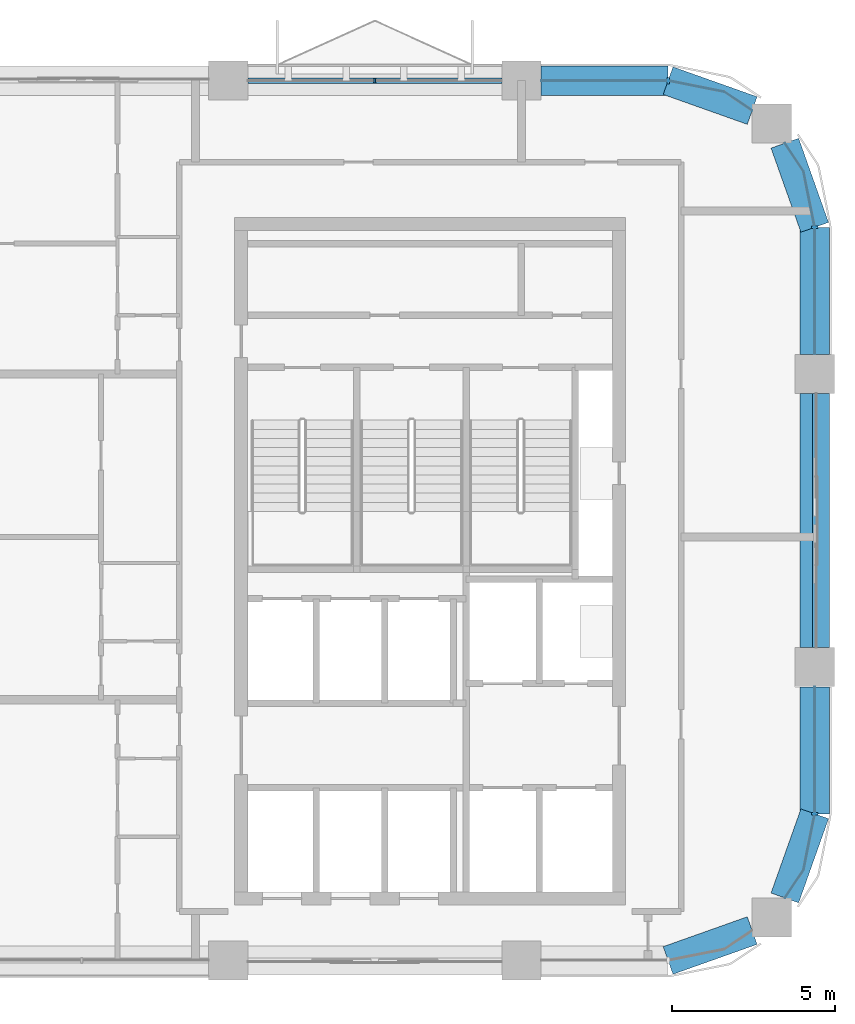
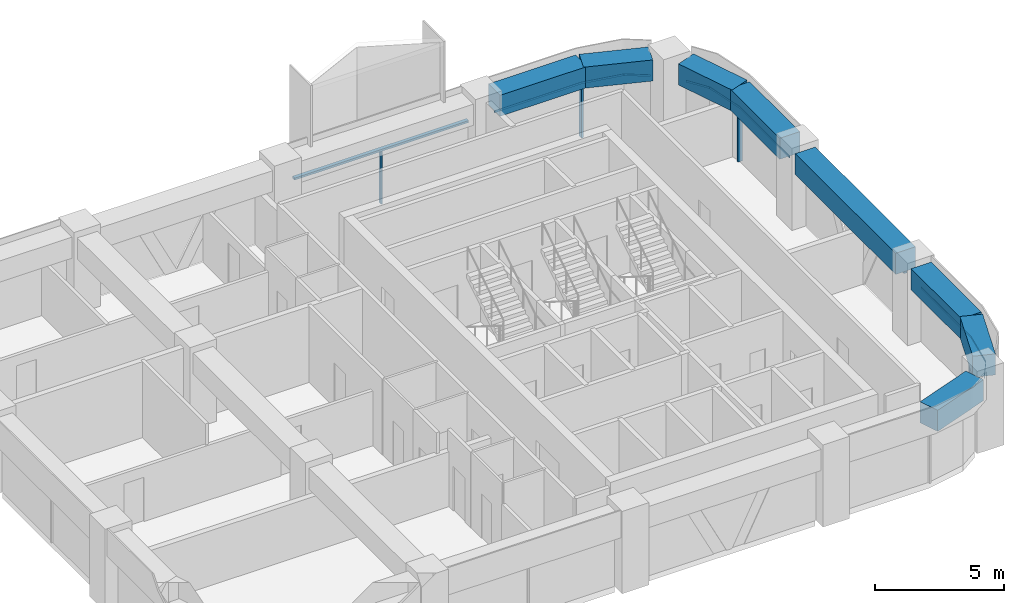
# One storey, part 4 of 10: 9 members, 8 beams, 5 elements without a shape of their own.
"""IFC4 building model written with IfcOpenShell, lengths in metres."""

from ifc_helpers import new_model, si_unit, direction, frame, origin, origin_2d, place, context, subcontext, project, spatial, polyline, rectangle, outline, extrude, material, material_profile, profile_set, type_object, element, aggregate, save


model = new_model("IFC4")

# Units and contexts
model_context = context("Model", 3, precision=1e-05, world=origin(), true_north=direction((0.0, 1.0)))
body_context = subcontext(model_context, "Body", "Model", "MODEL_VIEW")
ifc_project = project(units=[si_unit("LENGTHUNIT", "METRE"), si_unit("AREAUNIT", "SQUARE_METRE"), si_unit("VOLUMEUNIT", "CUBIC_METRE"), si_unit("PLANEANGLEUNIT", "RADIAN"), si_unit("MASSUNIT", "GRAM", prefix="KILO")], contexts=[model_context])

# Site, building, storey
site_placement = place(None, origin())
site = spatial("IfcSite", under=ifc_project, at=site_placement, CompositionType="ELEMENT")
building_placement = place(site_placement, origin())
building = spatial("IfcBuilding", under=site, at=building_placement, Name="Tessera Arch", CompositionType="ELEMENT")
storey_placement = place(building_placement, frame((0.0, 0.0, 242.300048828125)))
storey = spatial("IfcBuildingStorey", under=building, at=storey_placement, Name="L58", CompositionType="ELEMENT", Elevation=242.300048828125)

# Curtain wall, members
ifc_material_1 = material(Name="CW1 curtain wall")
curtain_wall_type_1 = type_object("IfcCurtainWallType", Name="CW1 curtain wall", PredefinedType="NOTDEFINED", material=ifc_material_1)
curtain_wall_1_placement = place(storey_placement, origin())
curtain_wall_1 = element("IfcCurtainWall", 1, at=curtain_wall_1_placement, inside=storey, type_object=curtain_wall_type_1, Name="CW1 curtain wall N54.18/1 L58", PredefinedType="NOTDEFINED")
ifc_material_2 = material(Name="Anodised aluminium pale metal", Category="aluminium")
ifc_material_profile_1 = material_profile(ifc_material_2, rectangle(XDim=0.159912109375, YDim=0.06005859375, at=origin_2d()), Name="AL 60x160")
ifc_profile_set_1 = profile_set([ifc_material_profile_1], Name="Anodised aluminium pale metal")
member_type_1 = type_object("IfcMemberType", Name="CW1 mullion", PredefinedType="MULLION", material=ifc_profile_set_1)
member_1_placement = place(storey_placement, frame((40.5, 54.0, 0.0), z_axis=(0.0, 0.0, 1.0), x_axis=(0.0, -1.0, 0.0)))
member_1 = element("IfcMember", 2, at=member_1_placement, type_object=member_type_1, Name="CW1 mullion N54.18/1 1", PredefinedType="MULLION", context=body_context, shape_type="SweptSolid", body=[
    extrude(rectangle(XDim=0.159912109375, YDim=0.06005859375, at=origin_2d()), origin(), (0.0, 0.0, 1.0), 2.5),
])
ifc_material_3 = material(Name="Anodised aluminium pale metal", Category="aluminium")
ifc_material_profile_2 = material_profile(ifc_material_3, rectangle(XDim=0.159912109375, YDim=0.10009765625, at=origin_2d()), Name="AL 160x100")
ifc_profile_set_2 = profile_set([ifc_material_profile_2], Name="Anodised aluminium pale metal")
member_type_2 = type_object("IfcMemberType", Name="CW1 transom", PredefinedType="USERDEFINED", material=ifc_profile_set_2)
member_2_placement = place(storey_placement, frame((44.39990234375, 54.0, 2.550048828125), z_axis=(-1.0, 0.0, 0.0), x_axis=(0.0, -1.0, 0.0)))
member_2 = element("IfcMember", 3, at=member_2_placement, type_object=member_type_2, Name="CW1 transom N54.18/1 1.1", ObjectType="TRANSOM", PredefinedType="USERDEFINED", context=body_context, shape_type="SweptSolid", body=[
    extrude(rectangle(XDim=0.159912109375, YDim=0.10009765625, at=origin_2d()), origin(), (0.0, 0.0, 1.0), 7.7998046875),
])
aggregate(curtain_wall_1, [member_1, member_2])

# Curtain wall, member
ifc_material_4 = material(Name="CW2 curtain wall")
curtain_wall_type_2 = type_object("IfcCurtainWallType", Name="CW2 curtain wall", PredefinedType="NOTDEFINED", material=ifc_material_4)
curtain_wall_2_placement = place(storey_placement, origin())
curtain_wall_2 = element("IfcCurtainWall", 4, at=curtain_wall_2_placement, inside=storey, type_object=curtain_wall_type_2, Name="CW2 curtain wall E54.27/1 L58", PredefinedType="NOTDEFINED")
ifc_material_5 = material(Name="Anodised aluminium pale metal", Category="aluminium")
ifc_material_profile_3 = material_profile(ifc_material_5, rectangle(XDim=0.199951171875, YDim=0.080078125, at=origin_2d()), Name="AL 80x200")
ifc_profile_set_3 = profile_set([ifc_material_profile_3], Name="Anodised aluminium pale metal")
member_type_3 = type_object("IfcMemberType", Name="CW2 mullion", PredefinedType="MULLION", material=ifc_profile_set_3)
member_3_placement = place(storey_placement, frame((54.0, 49.5, 0.0), z_axis=(0.0, 0.0, 1.0), x_axis=(-1.0, 0.0, 0.0)))
member_3 = element("IfcMember", 5, at=member_3_placement, type_object=member_type_3, Name="CW2 mullion E54.27/1 1", PredefinedType="MULLION", context=body_context, shape_type="SweptSolid", body=[
    extrude(rectangle(XDim=0.199951171875, YDim=0.080078125, at=origin_2d()), origin(), (0.0, 0.0, 1.0), 2.5),
])

curtain_wall_3_placement = place(storey_placement, origin())
curtain_wall_3 = element("IfcCurtainWall", 6, at=curtain_wall_3_placement, inside=storey, type_object=curtain_wall_type_2, Name="CW2 curtain wall N54.18/0 L58", PredefinedType="NOTDEFINED")
member_4_placement = place(storey_placement, frame((49.5, 54.0, 0.0), z_axis=(0.0, 0.0, 1.0), x_axis=(0.0, -1.0, 0.0)))
member_4 = element("IfcMember", 7, at=member_4_placement, type_object=member_type_3, Name="CW2 mullion N54.18/0 1", PredefinedType="MULLION", context=body_context, shape_type="SweptSolid", body=[
    extrude(rectangle(XDim=0.199951171875, YDim=0.080078125, at=origin_2d()), origin(), (0.0, 0.0, 1.0), 2.5),
])

curtain_wall_4_placement = place(storey_placement, origin())
curtain_wall_4 = element("IfcCurtainWall", 8, at=curtain_wall_4_placement, inside=storey, type_object=curtain_wall_type_2, Name="CW2 curtain wall E54.27/2 L58", PredefinedType="NOTDEFINED")
member_5_placement = place(storey_placement, frame((54.0, 31.5, 0.0), z_axis=(0.0, 0.0, 1.0), x_axis=(-1.0, 0.0, 0.0)))
member_5 = element("IfcMember", 9, at=member_5_placement, type_object=member_type_3, Name="CW2 mullion E54.27/2 1", PredefinedType="MULLION", context=body_context, shape_type="SweptSolid", body=[
    extrude(rectangle(XDim=0.199951171875, YDim=0.080078125, at=origin_2d()), origin(), (0.0, 0.0, 1.0), 2.5),
])

# Member
ifc_material_6 = material(Name="Anodised aluminium pale metal", Category="aluminium")
ifc_material_profile_4 = material_profile(ifc_material_6, rectangle(XDim=0.199951171875, YDim=0.10009765625, at=origin_2d()), Name="AL 200x100")
ifc_profile_set_4 = profile_set([ifc_material_profile_4], Name="Anodised aluminium pale metal")
member_type_4 = type_object("IfcMemberType", Name="CW2 transom", PredefinedType="USERDEFINED", material=ifc_profile_set_4)
member_6_placement = place(storey_placement, frame((0.0, 0.0, 2.5)))
member_6 = element("IfcMember", 10, at=member_6_placement, type_object=member_type_4, Name="CW2 transom E54.27/1 1", ObjectType="TRANSOM", PredefinedType="USERDEFINED", context=body_context, shape_type="SweptSolid", body=[
    extrude(outline(polyline([(53.989990234375, 49.4990234375), (53.989990234375, 45.60009765625), (54.010009765625, 45.60009765625), (54.010009765625, 49.5009765625), (53.6669921875, 51.22607421875), (53.09130859375, 52.087646484375), (53.07470703125, 52.076416015625), (53.648193359375, 51.21826171875), (53.989990234375, 49.4990234375)])), origin(), (0.0, 0.0, 1.0), 0.099853515625),
])

aggregate(curtain_wall_2, [member_3, member_6])

member_7_placement = place(storey_placement, frame((0.0, 0.0, 2.5)))
member_7 = element("IfcMember", 11, at=member_7_placement, type_object=member_type_4, Name="CW2 transom N54.18/0 1", ObjectType="TRANSOM", PredefinedType="USERDEFINED", context=body_context, shape_type="SweptSolid", body=[
    extrude(outline(polyline([(51.21826171875, 53.648193359375), (52.076416015625, 53.07470703125), (52.087646484375, 53.09130859375), (51.22607421875, 53.6669921875), (49.5009765625, 54.010009765625), (45.60009765625, 54.010009765625), (45.60009765625, 53.989990234375), (49.4990234375, 53.989990234375), (51.21826171875, 53.648193359375)])), origin(), (0.0, 0.0, 1.0), 0.099853515625),
])

aggregate(curtain_wall_3, [member_4, member_7])

member_8_placement = place(storey_placement, frame((0.0, 0.0, 2.5)))
member_8 = element("IfcMember", 12, at=member_8_placement, type_object=member_type_4, Name="CW2 transom E54.27/2 1", ObjectType="TRANSOM", PredefinedType="USERDEFINED", context=body_context, shape_type="SweptSolid", body=[
    extrude(outline(polyline([(53.648193359375, 29.78173828125), (53.07470703125, 28.923583984375), (53.09130859375, 28.912353515625), (53.6669921875, 29.77392578125), (54.010009765625, 31.4990234375), (54.010009765625, 35.39990234375), (53.989990234375, 35.39990234375), (53.989990234375, 31.5009765625), (53.648193359375, 29.78173828125)])), origin(), (0.0, 0.0, 1.0), 0.099853515625),
])

aggregate(curtain_wall_4, [member_5, member_8])

# Curtain wall, member
ifc_material_7 = material(Name="CW3 curtain wall")
curtain_wall_type_3 = type_object("IfcCurtainWallType", Name="CW3 curtain wall", PredefinedType="NOTDEFINED", material=ifc_material_7)
curtain_wall_5_placement = place(storey_placement, origin())
curtain_wall_5 = element("IfcCurtainWall", 13, at=curtain_wall_5_placement, inside=storey, type_object=curtain_wall_type_3, Name="CW3 curtain wall E54.27/0 L58", PredefinedType="NOTDEFINED")
ifc_material_8 = material(Name="Anodised aluminium pale metal", Category="aluminium")
ifc_material_profile_5 = material_profile(ifc_material_8, rectangle(XDim=0.139892578125, YDim=0.10009765625, at=origin_2d()), Name="AL 140x100")
ifc_profile_set_5 = profile_set([ifc_material_profile_5], Name="Anodised aluminium pale metal")
member_type_5 = type_object("IfcMemberType", Name="CW3 transom", PredefinedType="USERDEFINED", material=ifc_profile_set_5)
member_9_placement = place(storey_placement, frame((54.0, 36.60009765625, 2.550048828125), z_axis=(0.0, 1.0, 0.0), x_axis=(-1.0, 0.0, 0.0)))
member_9 = element("IfcMember", 14, at=member_9_placement, type_object=member_type_5, Name="CW3 transom E54.27/0 1.1", ObjectType="TRANSOM", PredefinedType="USERDEFINED", context=body_context, shape_type="SweptSolid", body=[
    extrude(rectangle(XDim=0.139892578125, YDim=0.10009765625, at=origin_2d()), origin(), (0.0, 0.0, 1.0), 7.7998046875),
])
aggregate(curtain_wall_5, [member_9])

# Beams
ifc_material_9 = material(Name="Concrete C60/75", Category="concrete")
ifc_material_profile_6 = material_profile(ifc_material_9, rectangle(XDim=0.89990234375, YDim=1.0, at=origin_2d()), Name="RC spandrel beam 900 x 1000 Concrete C60/75")
ifc_profile_set_6 = profile_set([ifc_material_profile_6], Name="Concrete C60/75")
beam_type = type_object("IfcBeamType", Name="RC spandrel beam 900 x 1000 Concrete C60/75", PredefinedType="BEAM", material=ifc_profile_set_6)
beam_1_placement = place(storey_placement, frame((54.0, 36.60009765625, 3.099853515625), z_axis=(0.0, 1.0, 0.0), x_axis=(-1.0, 0.0, 0.0)))
element("IfcBeam", 15, at=beam_1_placement, inside=storey, type_object=beam_type, Name="Spandrel beam L58 E54.27/0", PredefinedType="BEAM", context=body_context, shape_type="SweptSolid", body=[
    extrude(rectangle(XDim=0.89990234375, YDim=1.0, at=origin_2d()), origin(), (0.0, 0.0, 1.0), 7.7998046875),
])
beam_2_placement = place(storey_placement, frame((54.0, 45.60009765625, 3.099853515625), z_axis=(0.0, 1.0, 0.0), x_axis=(-1.0, 0.0, 0.0)))
element("IfcBeam", 16, at=beam_2_placement, inside=storey, type_object=beam_type, Name="Spandrel beam L58 E54.27/1.1", PredefinedType="BEAM", context=body_context, shape_type="SweptSolid", body=[
    extrude(rectangle(XDim=0.89990234375, YDim=1.0, at=origin_2d()), origin(), (0.0, 0.0, 1.0), 3.89990234375),
])
for number, where, z_axis, x_axis, name in (
    (17, (54.0, 49.5, 3.099853515625), (-0.334665114373, 0.942337127159, 0.0), (-0.942337127159, -0.334665114373, 0.0), "Spandrel beam L58 E54.27/1.2"),
    (18, (52.08203125, 53.0830078125, 3.099853515625), (-0.942337127159, 0.334665114373, 0.0), (-0.334665114373, -0.942337127159, 0.0), "Spandrel beam L58 N54.18/0.1"),
):
    element("IfcBeam", number, at=place(storey_placement, frame(where, z_axis=z_axis, x_axis=x_axis)), inside=storey, type_object=beam_type, Name=name, PredefinedType="BEAM", context=body_context, shape_type="SweptSolid", body=[
        extrude(rectangle(XDim=0.89990234375, YDim=1.0, at=origin_2d()), origin(), (0.0, 0.0, 1.0), 2.739990234375),
    ])
beam_3_placement = place(storey_placement, frame((49.5, 54.0, 3.099853515625), z_axis=(-1.0, 0.0, 0.0), x_axis=(0.0, -1.0, 0.0)))
element("IfcBeam", 19, at=beam_3_placement, inside=storey, type_object=beam_type, Name="Spandrel beam L58 N54.18/0.2", PredefinedType="BEAM", context=body_context, shape_type="SweptSolid", body=[
    extrude(rectangle(XDim=0.89990234375, YDim=1.0, at=origin_2d()), origin(), (0.0, 0.0, 1.0), 3.89990234375),
])
for number, where, z_axis, x_axis, name in (
    (20, (49.5, 27.0, 3.099853515625), (0.942337127159, 0.334665114373, 0.0), (-0.334665114373, 0.942337127159, 0.0), "Spandrel beam L58 S27.18/3.2"),
    (21, (53.0830078125, 28.91796875, 3.099853515625), (0.334665114373, 0.942337127159, 0.0), (-0.942337127159, 0.334665114373, 0.0), "Spandrel beam L58 E54.27/2.1"),
):
    element("IfcBeam", number, at=place(storey_placement, frame(where, z_axis=z_axis, x_axis=x_axis)), inside=storey, type_object=beam_type, Name=name, PredefinedType="BEAM", context=body_context, shape_type="SweptSolid", body=[
        extrude(rectangle(XDim=0.89990234375, YDim=1.0, at=origin_2d()), origin(), (0.0, 0.0, 1.0), 2.739990234375),
    ])
beam_4_placement = place(storey_placement, frame((54.0, 31.5, 3.099853515625), z_axis=(0.0, 1.0, 0.0), x_axis=(-1.0, 0.0, 0.0)))
element("IfcBeam", 22, at=beam_4_placement, inside=storey, type_object=beam_type, Name="Spandrel beam L58 E54.27/2.2", PredefinedType="BEAM", context=body_context, shape_type="SweptSolid", body=[
    extrude(rectangle(XDim=0.89990234375, YDim=1.0, at=origin_2d()), origin(), (0.0, 0.0, 1.0), 3.89990234375),
])

save(model, "model.ifc")
